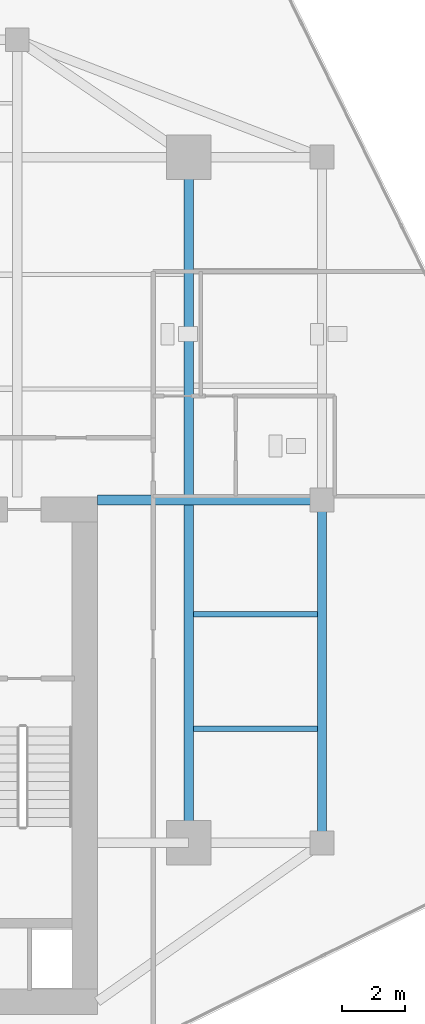
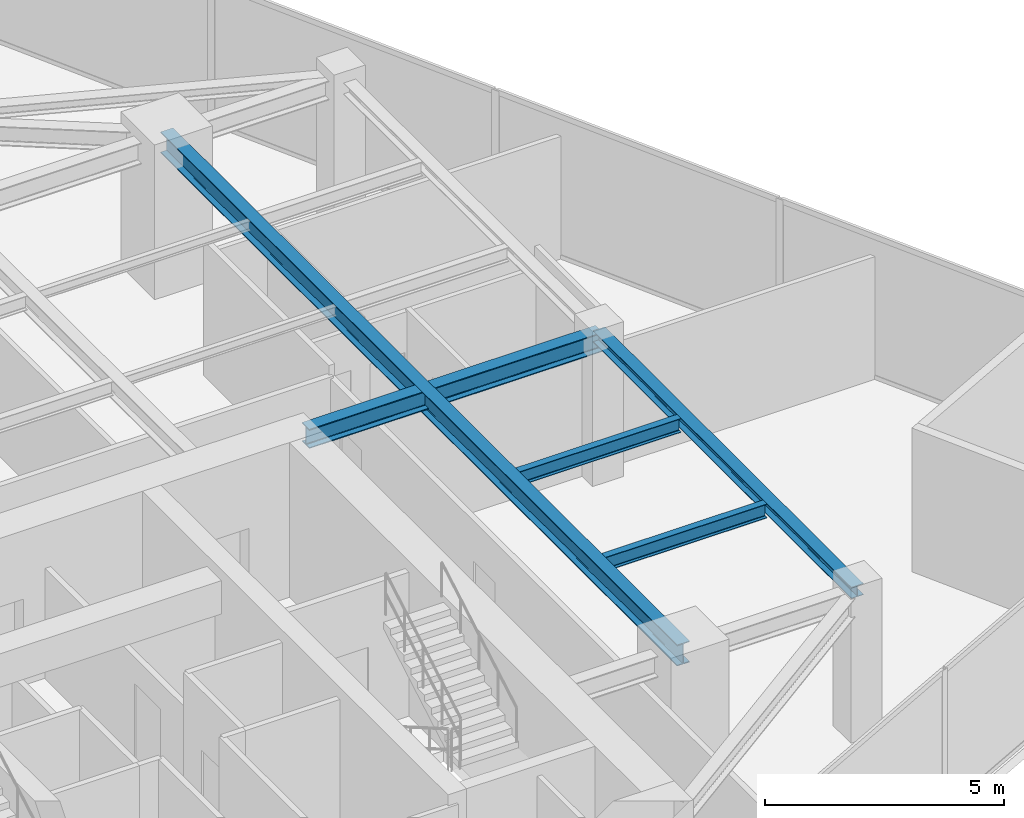
# One storey, part 9 of 22: 5 beams.
"""IFC4 building model written with IfcOpenShell, lengths in metres."""

from ifc_helpers import new_model, si_unit, direction, frame, origin, origin_2d, place, context, subcontext, project, spatial, i_section, extrude, source, transform, mapped, material, material_profile, profile_set, type_object, type_shapes, element, save


model = new_model("IFC4")

# Units and contexts
model_context = context("Model", 3, precision=1e-05, world=origin(), true_north=direction((0.0, 1.0)))
body_context = subcontext(model_context, "Body", "Model", "MODEL_VIEW")
ifc_project = project(units=[si_unit("LENGTHUNIT", "METRE"), si_unit("AREAUNIT", "SQUARE_METRE"), si_unit("VOLUMEUNIT", "CUBIC_METRE"), si_unit("PLANEANGLEUNIT", "RADIAN"), si_unit("MASSUNIT", "GRAM", prefix="KILO")], contexts=[model_context])

# Site, building, storey
site_placement = place(None, origin())
site = spatial("IfcSite", under=ifc_project, at=site_placement, CompositionType="ELEMENT")
building_placement = place(site_placement, origin())
building = spatial("IfcBuilding", under=site, at=building_placement, Name="Krantzveldt Concourse Tower", CompositionType="ELEMENT")
storey_placement = place(building_placement, frame((0.0, 0.0, 310.85009765625)))
storey = spatial("IfcBuildingStorey", under=building, at=storey_placement, Name="L76", CompositionType="ELEMENT", Elevation=310.85009765625)

# Beams
ifc_material = material(Name="Steel S355JR", Category="steel")
ifc_material_profile_1 = material_profile(ifc_material, i_section(OverallWidth=0.300048828125, OverallDepth=0.489990234375, WebThickness=0.011962890625, FlangeThickness=0.02294921875, FilletRadius=0.027099609375, at=origin_2d()), Name="Steel S355JR", Category="steel")
ifc_profile_set_1 = profile_set([ifc_material_profile_1], Name="Steel S355JR - HEA 500")
beam_type_1 = type_object("IfcBeamType", Name="BM-B-HEA500", PredefinedType="BEAM", material=ifc_profile_set_1)
shared_shape_1 = source(origin(), body_context, "Body", "SweptSolid", [
    extrude(i_section(OverallWidth=0.300048828125, OverallDepth=0.489990234375, WebThickness=0.011962890625, FlangeThickness=0.02294921875, FilletRadius=0.027099609375, at=origin_2d()), origin(), (0.0, 0.0, 1.0), 7.080078125),
])
type_shapes(beam_type_1, [shared_shape_1])
beam_1_placement = place(storey_placement, frame((43.919921875, 26.699951171875, 3.4248046875), z_axis=(1.0, 0.0, 0.0), x_axis=(0.0, 1.0, 0.0)))
element("IfcBeam", 1, at=beam_1_placement, inside=storey, type_object=beam_type_1, Name="L76 Tower Girder BG-CE2", PredefinedType="BEAM", context=body_context, shape_type="MappedRepresentation", body=[
    mapped(shared_shape_1, transform((0.0, 0.0, 0.0), x_axis=(1.0, 0.0, 0.0), y_axis=(0.0, 1.0, 0.0), z_axis=(0.0, 0.0, 1.0), scale=1.0)),
])
ifc_material_profile_2 = material_profile(ifc_material, i_section(OverallWidth=0.300048828125, OverallDepth=0.5400390625, WebThickness=0.012451171875, FlangeThickness=0.02392578125, FilletRadius=0.027099609375, at=origin_2d()), Name="Steel S355JR", Category="steel")
ifc_profile_set_2 = profile_set([ifc_material_profile_2], Name="Steel S355JR - HEA 550")
beam_type_2 = type_object("IfcBeamType", Name="BM-B-HEA550", PredefinedType="BEAM", material=ifc_profile_set_2)
shared_shape_2 = source(origin(), body_context, "Body", "SweptSolid", [
    extrude(i_section(OverallWidth=0.300048828125, OverallDepth=0.5400390625, WebThickness=0.012451171875, FlangeThickness=0.02392578125, FilletRadius=0.027099609375, at=origin_2d()), origin(), (0.0, 0.0, 1.0), 21.60009765625),
])
type_shapes(beam_type_2, [shared_shape_2])
beam_2_placement = place(storey_placement, frame((46.800048828125, 15.89990234375, 3.39990234375), z_axis=(0.0, 1.0, 0.0), x_axis=(-1.0, 0.0, 0.0)))
element("IfcBeam", 2, at=beam_2_placement, inside=storey, type_object=beam_type_2, Name="L76 Tower Girder BG-ME", PredefinedType="BEAM", context=body_context, shape_type="MappedRepresentation", body=[
    mapped(shared_shape_2, transform((0.0, 0.0, 0.0), x_axis=(1.0, 0.0, 0.0), y_axis=(0.0, 1.0, 0.0), z_axis=(0.0, 0.0, 1.0), scale=1.0)),
])
ifc_material_profile_3 = material_profile(ifc_material, i_section(OverallWidth=0.2900390625, OverallDepth=0.2900390625, WebThickness=0.008544921875, FlangeThickness=0.013916015625, FilletRadius=0.027099609375, at=origin_2d()), Name="Steel S355JR", Category="steel")
ifc_profile_set_3 = profile_set([ifc_material_profile_3], Name="Steel S355JR - HEA 300")
beam_type_3 = type_object("IfcBeamType", Name="BM-SP-HEA300", PredefinedType="SPANDREL", material=ifc_profile_set_3)
shared_shape_3 = source(origin(), body_context, "Body", "SweptSolid", [
    extrude(i_section(OverallWidth=0.2900390625, OverallDepth=0.2900390625, WebThickness=0.008544921875, FlangeThickness=0.013916015625, FilletRadius=0.027099609375, at=origin_2d()), origin(), (0.0, 0.0, 1.0), 10.800048828125),
])
type_shapes(beam_type_3, [shared_shape_3])
beam_3_placement = place(storey_placement, frame((51.0, 26.699951171875, 3.52490234375), z_axis=(0.0, -1.0, 0.0), x_axis=(1.0, 0.0, 0.0)))
element("IfcBeam", 3, at=beam_3_placement, inside=storey, type_object=beam_type_3, Name="L76 Tower Girder SP-R07", PredefinedType="SPANDREL", context=body_context, shape_type="MappedRepresentation", body=[
    mapped(shared_shape_3, transform((0.0, 0.0, 0.0), x_axis=(1.0, 0.0, 0.0), y_axis=(0.0, 1.0, 0.0), z_axis=(0.0, 0.0, 1.0), scale=1.0)),
])
ifc_material_profile_4 = material_profile(ifc_material, i_section(OverallWidth=0.169921875, OverallDepth=0.360107421875, WebThickness=0.008056640625, FlangeThickness=0.0126953125, FilletRadius=0.01806640625, at=origin_2d()), Name="Steel S355JR", Category="steel")
ifc_profile_set_4 = profile_set([ifc_material_profile_4], Name="Steel S355JR - IPE 360")
beam_type_4 = type_object("IfcBeamType", Name="BM-J-IPE360", PredefinedType="JOIST", material=ifc_profile_set_4)
shared_shape_4 = source(origin(), body_context, "Body", "SweptSolid", [
    extrude(i_section(OverallWidth=0.169921875, OverallDepth=0.360107421875, WebThickness=0.008056640625, FlangeThickness=0.0126953125, FilletRadius=0.01806640625, at=origin_2d()), origin(), (0.0, 0.0, 1.0), 3.900146484375),
])
type_shapes(beam_type_4, [shared_shape_4])
for number, where, z_axis, x_axis, name in (
    (4, (46.949951171875, 19.5, 3.489990234375), (1.0, 0.0, 0.0), (0.0, 1.0, 0.0), "L76 Secondary Floor Joist JE-1"),
    (5, (46.949951171875, 23.10009765625, 3.489990234375), (1.0, 0.0, 0.0), (0.0, 1.0, 0.0), "L76 Secondary Floor Joist JE-2"),
):
    element("IfcBeam", number, at=place(storey_placement, frame(where, z_axis=z_axis, x_axis=x_axis)), inside=storey, type_object=beam_type_4, Name=name, PredefinedType="JOIST", context=body_context, shape_type="MappedRepresentation", body=[
        mapped(shared_shape_4, transform((0.0, 0.0, 0.0), x_axis=(1.0, 0.0, 0.0), y_axis=(0.0, 1.0, 0.0), z_axis=(0.0, 0.0, 1.0), scale=1.0)),
    ])

save(model, "model.ifc")
